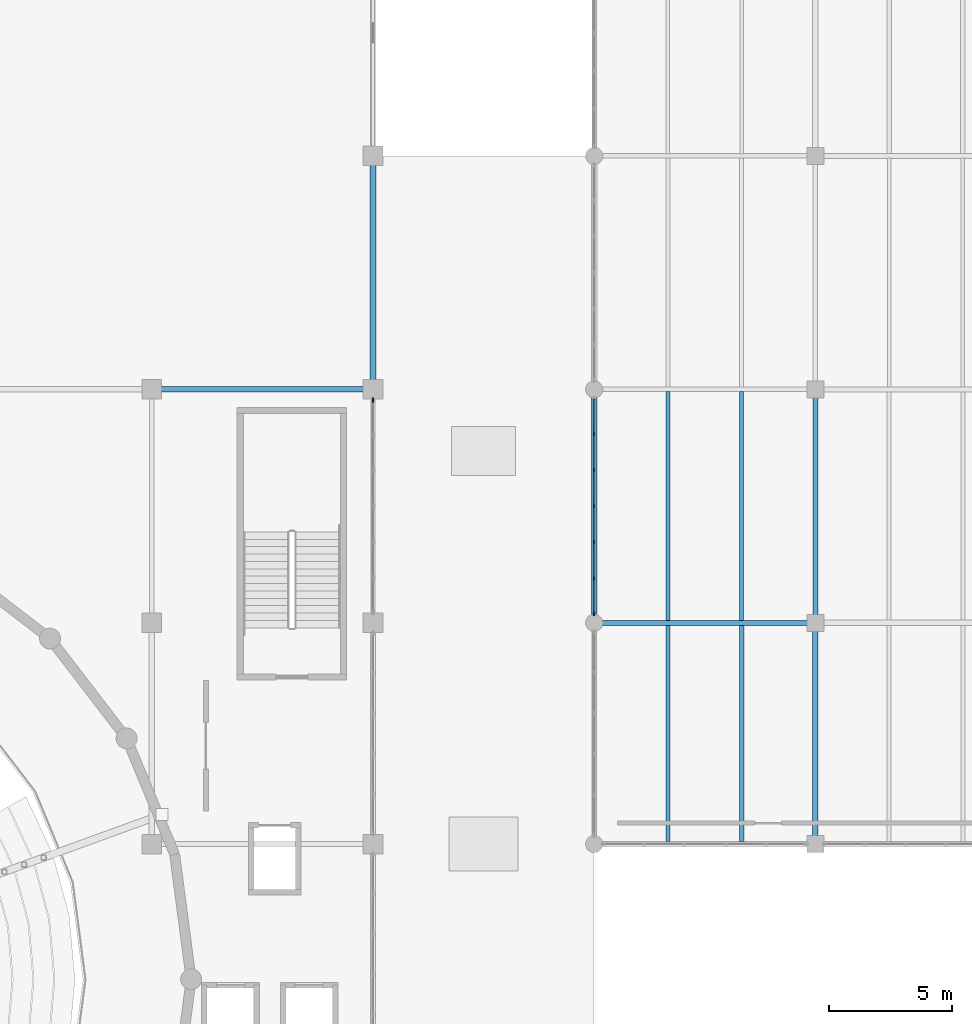
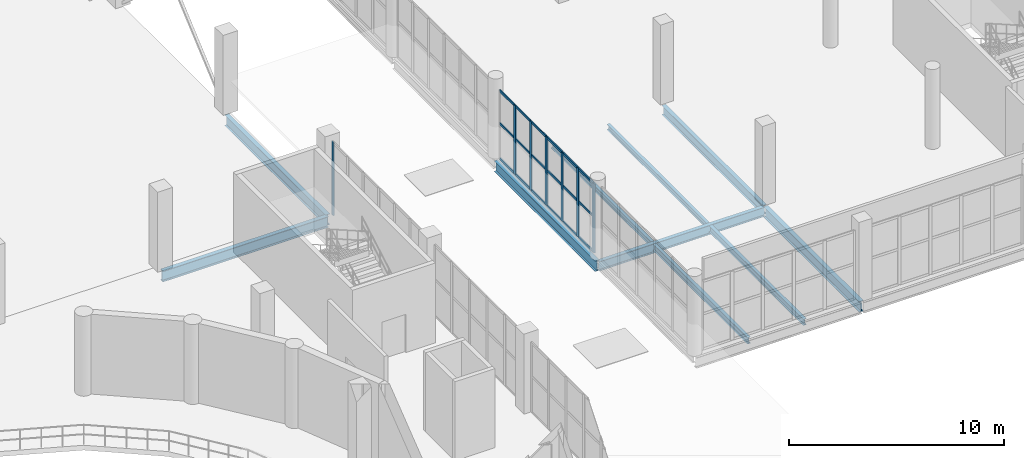
# One storey, part 46 of 93: 25 members, 10 beams, 2 elements without a shape of their own.
"""IFC4 building model written with IfcOpenShell, lengths in metres."""

from ifc_helpers import new_model, si_unit, direction, frame, origin, origin_2d, place, context, subcontext, project, spatial, rectangle, i_section, extrude, material, layer, layer_set, material_profile, profile_set, type_object, element, aggregate, save


model = new_model("IFC4")

# Units and contexts
model_context = context("Model", 3, precision=1e-05, world=origin(), true_north=direction((0.0, 1.0)))
body_context = subcontext(model_context, "Body", "Model", "MODEL_VIEW")
ifc_project = project(units=[si_unit("LENGTHUNIT", "METRE"), si_unit("AREAUNIT", "SQUARE_METRE"), si_unit("VOLUMEUNIT", "CUBIC_METRE"), si_unit("PLANEANGLEUNIT", "RADIAN"), si_unit("MASSUNIT", "GRAM", prefix="KILO")], contexts=[model_context])

# Site, building, storey
site_placement = place(None, origin())
site = spatial("IfcSite", under=ifc_project, at=site_placement, CompositionType="ELEMENT")
building_placement = place(site_placement, origin())
building = spatial("IfcBuilding", under=site, at=building_placement, Name="Marnock Terrace Opera House", CompositionType="ELEMENT")
storey_placement = place(building_placement, frame((0.0, 0.0, 5.39990234375)))
storey = spatial("IfcBuildingStorey", under=building, at=storey_placement, Name="L01", CompositionType="ELEMENT", Elevation=5.39990234375)

# Beams
ifc_material_1 = material(Name="Steel Grade 350 (AS/NZS 3679.1)", Category="steel")
ifc_material_profile_1 = material_profile(ifc_material_1, i_section(OverallWidth=0.208984375, OverallDepth=0.532958984375, WebThickness=0.01025390625, FlangeThickness=0.015625, FilletRadius=0.013916015625, at=origin_2d()))
ifc_profile_set_1 = profile_set([ifc_material_profile_1], Name="Steel Grade 350 (AS/NZS 3679.1)")
beam_type_1 = type_object("IfcBeamType", Name="BM-GIRD-530A", PredefinedType="BEAM", material=ifc_profile_set_1)
beam_1_placement = place(storey_placement, frame((118.050048828125, 75.0, -0.54638671875), z_axis=(1.0, 0.0, 0.0), x_axis=(0.0, 1.0, 0.0)))
element("IfcBeam", 1, at=beam_1_placement, inside=storey, type_object=beam_type_1, Name="L01 girder (118.0..127.0, Y=75.0)", PredefinedType="BEAM", context=body_context, shape_type="SweptSolid", body=[
    extrude(i_section(OverallWidth=0.208984375, OverallDepth=0.532958984375, WebThickness=0.01025390625, FlangeThickness=0.015625, FilletRadius=0.013916015625, at=origin_2d()), origin(), (0.0, 0.0, 1.0), 8.89990234375),
])
ifc_material_profile_2 = material_profile(ifc_material_1, i_section(OverallWidth=0.208984375, OverallDepth=0.528076171875, WebThickness=0.009521484375, FlangeThickness=0.01318359375, FilletRadius=0.013916015625, at=origin_2d()))
ifc_profile_set_2 = profile_set([ifc_material_profile_2], Name="Steel Grade 350 (AS/NZS 3679.1)")
beam_type_2 = type_object("IfcBeamType", Name="BM-GIRD-530B", PredefinedType="BEAM", material=ifc_profile_set_2)
beam_2_placement = place(storey_placement, frame((127.0, 75.050048828125, -0.5439453125), z_axis=(0.0, 1.0, 0.0), x_axis=(-1.0, 0.0, 0.0)))
element("IfcBeam", 2, at=beam_2_placement, inside=storey, type_object=beam_type_2, Name="L01 girder (X=127.0, 75.0..84.5)", PredefinedType="BEAM", context=body_context, shape_type="SweptSolid", body=[
    extrude(i_section(OverallWidth=0.208984375, OverallDepth=0.528076171875, WebThickness=0.009521484375, FlangeThickness=0.01318359375, FilletRadius=0.013916015625, at=origin_2d()), origin(), (0.0, 0.0, 1.0), 9.39990234375),
])
ifc_material_profile_3 = material_profile(ifc_material_1, i_section(OverallWidth=0.22900390625, OverallDepth=0.611572265625, WebThickness=0.011962890625, FlangeThickness=0.01953125, FilletRadius=0.013916015625, at=origin_2d()))
ifc_profile_set_3 = profile_set([ifc_material_profile_3], Name="Steel Grade 350 (AS/NZS 3679.1)")
beam_type_3 = type_object("IfcBeamType", Name="BM-GIRD-610A", PredefinedType="BEAM", material=ifc_profile_set_3)
beam_3_placement = place(storey_placement, frame((100.050048828125, 84.5, -0.585693359375), z_axis=(1.0, 0.0, 0.0), x_axis=(0.0, 1.0, 0.0)))
element("IfcBeam", 3, at=beam_3_placement, inside=storey, type_object=beam_type_3, Name="L01 girder (100.0..109.0, Y=84.5)", PredefinedType="BEAM", context=body_context, shape_type="SweptSolid", body=[
    extrude(i_section(OverallWidth=0.22900390625, OverallDepth=0.611572265625, WebThickness=0.011962890625, FlangeThickness=0.01953125, FilletRadius=0.013916015625, at=origin_2d()), origin(), (0.0, 0.0, 1.0), 8.89990234375),
])
ifc_material_profile_4 = material_profile(ifc_material_1, i_section(OverallWidth=0.22802734375, OverallDepth=0.60205078125, WebThickness=0.010498046875, FlangeThickness=0.014892578125, FilletRadius=0.013916015625, at=origin_2d()))
ifc_profile_set_4 = profile_set([ifc_material_profile_4], Name="Steel Grade 350 (AS/NZS 3679.1)")
beam_type_4 = type_object("IfcBeamType", Name="BM-GIRD-610C", PredefinedType="BEAM", material=ifc_profile_set_4)
for number, where, z_axis, x_axis, name in (
    (4, (109.0, 84.550048828125, -0.580810546875), (0.0, 1.0, 0.0), (-1.0, 0.0, 0.0), "L01 girder (X=109.0, 84.5..94.0)"),
    (5, (118.0, 75.050048828125, -0.580810546875), (0.0, 1.0, 0.0), (-1.0, 0.0, 0.0), "L01 girder (X=118.0, 75.0..84.5)"),
):
    element("IfcBeam", number, at=place(storey_placement, frame(where, z_axis=z_axis, x_axis=x_axis)), inside=storey, type_object=beam_type_4, Name=name, PredefinedType="BEAM", context=body_context, shape_type="SweptSolid", body=[
        extrude(i_section(OverallWidth=0.22802734375, OverallDepth=0.60205078125, WebThickness=0.010498046875, FlangeThickness=0.014892578125, FilletRadius=0.013916015625, at=origin_2d()), origin(), (0.0, 0.0, 1.0), 9.39990234375),
    ])
beam_4_placement = place(storey_placement, frame((127.0, 66.050048828125, -0.580810546875), z_axis=(0.0, 1.0, 0.0), x_axis=(-1.0, 0.0, 0.0)))
element("IfcBeam", 6, at=beam_4_placement, inside=storey, type_object=beam_type_4, Name="L01 girder (X=127.0, 66.0..75.0)", PredefinedType="BEAM", context=body_context, shape_type="SweptSolid", body=[
    extrude(i_section(OverallWidth=0.22802734375, OverallDepth=0.60205078125, WebThickness=0.010498046875, FlangeThickness=0.014892578125, FilletRadius=0.013916015625, at=origin_2d()), origin(), (0.0, 0.0, 1.0), 8.89990234375),
])
ifc_material_profile_5 = material_profile(ifc_material_1, i_section(OverallWidth=0.166015625, OverallDepth=0.30712890625, WebThickness=0.006591796875, FlangeThickness=0.01171875, FilletRadius=0.011474609375, at=origin_2d()))
ifc_profile_set_5 = profile_set([ifc_material_profile_5], Name="Steel Grade 350 (AS/NZS 3679.1)")
beam_type_5 = type_object("IfcBeamType", Name="BM-JOIST-310A", PredefinedType="JOIST", material=ifc_profile_set_5)
for number, where, z_axis, x_axis, name in (
    (7, (121.0, 75.099609375, -0.43359375), (0.0, 1.0, 0.0), (-1.0, 0.0, 0.0), "L01 secondary joist 13.9.1"),
    (8, (124.0, 75.099609375, -0.43359375), (0.0, 1.0, 0.0), (-1.0, 0.0, 0.0), "L01 secondary joist 13.9.2"),
):
    element("IfcBeam", number, at=place(storey_placement, frame(where, z_axis=z_axis, x_axis=x_axis)), inside=storey, type_object=beam_type_5, Name=name, PredefinedType="JOIST", context=body_context, shape_type="SweptSolid", body=[
        extrude(i_section(OverallWidth=0.166015625, OverallDepth=0.30712890625, WebThickness=0.006591796875, FlangeThickness=0.01171875, FilletRadius=0.011474609375, at=origin_2d()), origin(), (0.0, 0.0, 1.0), 9.309814453125),
    ])
ifc_material_profile_6 = material_profile(ifc_material_1, i_section(OverallWidth=0.172119140625, OverallDepth=0.358642578125, WebThickness=0.008056640625, FlangeThickness=0.012939453125, FilletRadius=0.011474609375, at=origin_2d()))
ifc_profile_set_6 = profile_set([ifc_material_profile_6], Name="Steel Grade 350 (AS/NZS 3679.1)")
beam_type_6 = type_object("IfcBeamType", Name="BM-JOIST-360", PredefinedType="JOIST", material=ifc_profile_set_6)
for number, where, z_axis, x_axis, name in (
    (9, (121.0, 66.10888671875, -0.459228515625), (0.0, 1.0, 0.0), (-1.0, 0.0, 0.0), "L01 secondary joist 13.8.1"),
    (10, (124.0, 66.10888671875, -0.459228515625), (0.0, 1.0, 0.0), (-1.0, 0.0, 0.0), "L01 secondary joist 13.8.2"),
):
    element("IfcBeam", number, at=place(storey_placement, frame(where, z_axis=z_axis, x_axis=x_axis)), inside=storey, type_object=beam_type_6, Name=name, PredefinedType="JOIST", context=body_context, shape_type="SweptSolid", body=[
        extrude(i_section(OverallWidth=0.172119140625, OverallDepth=0.358642578125, WebThickness=0.008056640625, FlangeThickness=0.012939453125, FilletRadius=0.011474609375, at=origin_2d()), origin(), (0.0, 0.0, 1.0), 8.79150390625),
    ])

# Curtain wall, member
ifc_material_2 = material(Name="Anodised architectural bronze aluminium framing", Category="aluminium")
ifc_layer_1 = layer(ifc_material_2, 0.159912109375)
ifc_layer_set_1 = layer_set([ifc_layer_1], Name="Anodised architectural bronze aluminium framing")
curtain_wall_type_1 = type_object("IfcCurtainWallType", Name="CW-FOYER-90x45", PredefinedType="NOTDEFINED", material=ifc_layer_set_1)
curtain_wall_1_placement = place(storey_placement, origin())
curtain_wall_1 = element("IfcCurtainWall", 11, at=curtain_wall_1_placement, inside=storey, type_object=curtain_wall_type_1, Name="L01 glazed Beaux-Arts colonnade curtain wall CW-V1E-L01-09", PredefinedType="NOTDEFINED")
ifc_material_profile_7 = material_profile(ifc_material_2, rectangle(XDim=0.06494140625, YDim=0.179931640625, at=origin_2d()))
ifc_profile_set_7 = profile_set([ifc_material_profile_7], Name="Anodised architectural bronze aluminium framing")
member_type_1 = type_object("IfcMemberType", Name="CWM-65x180", PredefinedType="MULLION", material=ifc_profile_set_7)
member_1_placement = place(storey_placement, frame((109.0, 84.073974609375, 0.0), z_axis=(0.0, 0.0, 1.0), x_axis=(-1.0, 0.0, 0.0)))
member_1 = element("IfcMember", 12, at=member_1_placement, type_object=member_type_1, Name="CW-27 mullion 7", PredefinedType="MULLION", context=body_context, shape_type="SweptSolid", body=[
    extrude(rectangle(XDim=0.06494140625, YDim=0.179931640625, at=origin_2d()), origin(), (0.0, 0.0, 1.0), 4.154541015625),
])
aggregate(curtain_wall_1, [member_1])

# Curtain wall, members
ifc_layer_2 = layer(ifc_material_2, 0.159912109375)
ifc_layer_set_2 = layer_set([ifc_layer_2], Name="Anodised architectural bronze aluminium framing")
curtain_wall_type_2 = type_object("IfcCurtainWallType", Name="CW-FOYER-95x45", PredefinedType="NOTDEFINED", material=ifc_layer_set_2)
curtain_wall_2_placement = place(storey_placement, origin())
curtain_wall_2 = element("IfcCurtainWall", 13, at=curtain_wall_2_placement, inside=storey, type_object=curtain_wall_type_2, Name="L01 glazed Beaux-Arts colonnade curtain wall CW-V5-L01-W6", PredefinedType="NOTDEFINED")
member_2_placement = place(storey_placement, frame((118.0, 75.3759765625, 0.0), z_axis=(0.0, 0.0, 1.0), x_axis=(-1.0, 0.0, 0.0)))
member_2 = element("IfcMember", 14, at=member_2_placement, type_object=member_type_1, Name="CW-53 mullion 1", PredefinedType="MULLION", context=body_context, shape_type="SweptSolid", body=[
    extrude(rectangle(XDim=0.06494140625, YDim=0.179931640625, at=origin_2d()), origin(), (0.0, 0.0, 1.0), 3.908203125),
])
member_3_placement = place(storey_placement, frame((118.0, 76.81396484375, 0.0), z_axis=(0.0, 0.0, 1.0), x_axis=(-1.0, 0.0, 0.0)))
member_3 = element("IfcMember", 15, at=member_3_placement, type_object=member_type_1, Name="CW-53 mullion 2", PredefinedType="MULLION", context=body_context, shape_type="SweptSolid", body=[
    extrude(rectangle(XDim=0.06494140625, YDim=0.179931640625, at=origin_2d()), origin(), (0.0, 0.0, 1.0), 3.908203125),
])
member_4_placement = place(storey_placement, frame((118.0, 78.281982421875, 0.0), z_axis=(0.0, 0.0, 1.0), x_axis=(-1.0, 0.0, 0.0)))
member_4 = element("IfcMember", 16, at=member_4_placement, type_object=member_type_1, Name="CW-53 mullion 3", PredefinedType="MULLION", context=body_context, shape_type="SweptSolid", body=[
    extrude(rectangle(XDim=0.06494140625, YDim=0.179931640625, at=origin_2d()), origin(), (0.0, 0.0, 1.0), 3.908203125),
])
member_5_placement = place(storey_placement, frame((118.0, 79.75, 0.0), z_axis=(0.0, 0.0, 1.0), x_axis=(-1.0, 0.0, 0.0)))
member_5 = element("IfcMember", 17, at=member_5_placement, type_object=member_type_1, Name="CW-53 mullion 4", PredefinedType="MULLION", context=body_context, shape_type="SweptSolid", body=[
    extrude(rectangle(XDim=0.06494140625, YDim=0.179931640625, at=origin_2d()), origin(), (0.0, 0.0, 1.0), 3.908203125),
])
member_6_placement = place(storey_placement, frame((118.0, 81.218017578125, 0.0), z_axis=(0.0, 0.0, 1.0), x_axis=(-1.0, 0.0, 0.0)))
member_6 = element("IfcMember", 18, at=member_6_placement, type_object=member_type_1, Name="CW-53 mullion 5", PredefinedType="MULLION", context=body_context, shape_type="SweptSolid", body=[
    extrude(rectangle(XDim=0.06494140625, YDim=0.179931640625, at=origin_2d()), origin(), (0.0, 0.0, 1.0), 3.908203125),
])
member_7_placement = place(storey_placement, frame((118.0, 82.68603515625, 0.0), z_axis=(0.0, 0.0, 1.0), x_axis=(-1.0, 0.0, 0.0)))
member_7 = element("IfcMember", 19, at=member_7_placement, type_object=member_type_1, Name="CW-53 mullion 6", PredefinedType="MULLION", context=body_context, shape_type="SweptSolid", body=[
    extrude(rectangle(XDim=0.06494140625, YDim=0.179931640625, at=origin_2d()), origin(), (0.0, 0.0, 1.0), 3.908203125),
])
ifc_material_profile_8 = material_profile(ifc_material_2, rectangle(XDim=0.06005859375, YDim=0.1298828125, at=origin_2d()))
ifc_profile_set_8 = profile_set([ifc_material_profile_8], Name="Anodised architectural bronze aluminium framing")
member_type_2 = type_object("IfcMemberType", Name="CWT-60x130", PredefinedType="USERDEFINED", material=ifc_profile_set_8)
member_8_placement = place(storey_placement, frame((118.0, 75.406005859375, 0.030029296875), z_axis=(0.0, 1.0, 0.0), x_axis=(-1.0, 0.0, 0.0)))
member_8 = element("IfcMember", 20, at=member_8_placement, type_object=member_type_2, Name="CW-53 transom 1.1", ObjectType="TRANSOM", PredefinedType="USERDEFINED", context=body_context, shape_type="SweptSolid", body=[
    extrude(rectangle(XDim=0.06005859375, YDim=0.1298828125, at=origin_2d()), origin(), (0.0, 0.0, 1.0), 1.3779296875),
])
member_9_placement = place(storey_placement, frame((118.0, 75.406005859375, 2.0322265625), z_axis=(0.0, 1.0, 0.0), x_axis=(-1.0, 0.0, 0.0)))
member_9 = element("IfcMember", 21, at=member_9_placement, type_object=member_type_2, Name="CW-53 transom 1.2", ObjectType="TRANSOM", PredefinedType="USERDEFINED", context=body_context, shape_type="SweptSolid", body=[
    extrude(rectangle(XDim=0.06005859375, YDim=0.1298828125, at=origin_2d()), origin(), (0.0, 0.0, 1.0), 1.3779296875),
])
member_10_placement = place(storey_placement, frame((118.0, 75.406005859375, 3.878173828125), z_axis=(0.0, 1.0, 0.0), x_axis=(-1.0, 0.0, 0.0)))
member_10 = element("IfcMember", 22, at=member_10_placement, type_object=member_type_2, Name="CW-53 transom 1.3", ObjectType="TRANSOM", PredefinedType="USERDEFINED", context=body_context, shape_type="SweptSolid", body=[
    extrude(rectangle(XDim=0.06005859375, YDim=0.1298828125, at=origin_2d()), origin(), (0.0, 0.0, 1.0), 1.3779296875),
])
member_11_placement = place(storey_placement, frame((118.0, 76.843994140625, 0.030029296875), z_axis=(0.0, 1.0, 0.0), x_axis=(-1.0, 0.0, 0.0)))
member_11 = element("IfcMember", 23, at=member_11_placement, type_object=member_type_2, Name="CW-53 transom 2.1", ObjectType="TRANSOM", PredefinedType="USERDEFINED", context=body_context, shape_type="SweptSolid", body=[
    extrude(rectangle(XDim=0.06005859375, YDim=0.1298828125, at=origin_2d()), origin(), (0.0, 0.0, 1.0), 1.407958984375),
])
member_12_placement = place(storey_placement, frame((118.0, 76.843994140625, 2.0322265625), z_axis=(0.0, 1.0, 0.0), x_axis=(-1.0, 0.0, 0.0)))
member_12 = element("IfcMember", 24, at=member_12_placement, type_object=member_type_2, Name="CW-53 transom 2.2", ObjectType="TRANSOM", PredefinedType="USERDEFINED", context=body_context, shape_type="SweptSolid", body=[
    extrude(rectangle(XDim=0.06005859375, YDim=0.1298828125, at=origin_2d()), origin(), (0.0, 0.0, 1.0), 1.407958984375),
])
member_13_placement = place(storey_placement, frame((118.0, 76.843994140625, 3.878173828125), z_axis=(0.0, 1.0, 0.0), x_axis=(-1.0, 0.0, 0.0)))
member_13 = element("IfcMember", 25, at=member_13_placement, type_object=member_type_2, Name="CW-53 transom 2.3", ObjectType="TRANSOM", PredefinedType="USERDEFINED", context=body_context, shape_type="SweptSolid", body=[
    extrude(rectangle(XDim=0.06005859375, YDim=0.1298828125, at=origin_2d()), origin(), (0.0, 0.0, 1.0), 1.407958984375),
])
member_14_placement = place(storey_placement, frame((118.0, 78.31201171875, 0.030029296875), z_axis=(0.0, 1.0, 0.0), x_axis=(-1.0, 0.0, 0.0)))
member_14 = element("IfcMember", 26, at=member_14_placement, type_object=member_type_2, Name="CW-53 transom 3.1", ObjectType="TRANSOM", PredefinedType="USERDEFINED", context=body_context, shape_type="SweptSolid", body=[
    extrude(rectangle(XDim=0.06005859375, YDim=0.1298828125, at=origin_2d()), origin(), (0.0, 0.0, 1.0), 1.407958984375),
])
member_15_placement = place(storey_placement, frame((118.0, 78.31201171875, 2.0322265625), z_axis=(0.0, 1.0, 0.0), x_axis=(-1.0, 0.0, 0.0)))
member_15 = element("IfcMember", 27, at=member_15_placement, type_object=member_type_2, Name="CW-53 transom 3.2", ObjectType="TRANSOM", PredefinedType="USERDEFINED", context=body_context, shape_type="SweptSolid", body=[
    extrude(rectangle(XDim=0.06005859375, YDim=0.1298828125, at=origin_2d()), origin(), (0.0, 0.0, 1.0), 1.407958984375),
])
member_16_placement = place(storey_placement, frame((118.0, 78.31201171875, 3.878173828125), z_axis=(0.0, 1.0, 0.0), x_axis=(-1.0, 0.0, 0.0)))
member_16 = element("IfcMember", 28, at=member_16_placement, type_object=member_type_2, Name="CW-53 transom 3.3", ObjectType="TRANSOM", PredefinedType="USERDEFINED", context=body_context, shape_type="SweptSolid", body=[
    extrude(rectangle(XDim=0.06005859375, YDim=0.1298828125, at=origin_2d()), origin(), (0.0, 0.0, 1.0), 1.407958984375),
])
member_17_placement = place(storey_placement, frame((118.0, 79.780029296875, 0.030029296875), z_axis=(0.0, 1.0, 0.0), x_axis=(-1.0, 0.0, 0.0)))
member_17 = element("IfcMember", 29, at=member_17_placement, type_object=member_type_2, Name="CW-53 transom 4.1", ObjectType="TRANSOM", PredefinedType="USERDEFINED", context=body_context, shape_type="SweptSolid", body=[
    extrude(rectangle(XDim=0.06005859375, YDim=0.1298828125, at=origin_2d()), origin(), (0.0, 0.0, 1.0), 1.407958984375),
])
member_18_placement = place(storey_placement, frame((118.0, 79.780029296875, 2.0322265625), z_axis=(0.0, 1.0, 0.0), x_axis=(-1.0, 0.0, 0.0)))
member_18 = element("IfcMember", 30, at=member_18_placement, type_object=member_type_2, Name="CW-53 transom 4.2", ObjectType="TRANSOM", PredefinedType="USERDEFINED", context=body_context, shape_type="SweptSolid", body=[
    extrude(rectangle(XDim=0.06005859375, YDim=0.1298828125, at=origin_2d()), origin(), (0.0, 0.0, 1.0), 1.407958984375),
])
member_19_placement = place(storey_placement, frame((118.0, 79.780029296875, 3.878173828125), z_axis=(0.0, 1.0, 0.0), x_axis=(-1.0, 0.0, 0.0)))
member_19 = element("IfcMember", 31, at=member_19_placement, type_object=member_type_2, Name="CW-53 transom 4.3", ObjectType="TRANSOM", PredefinedType="USERDEFINED", context=body_context, shape_type="SweptSolid", body=[
    extrude(rectangle(XDim=0.06005859375, YDim=0.1298828125, at=origin_2d()), origin(), (0.0, 0.0, 1.0), 1.407958984375),
])
member_20_placement = place(storey_placement, frame((118.0, 81.248046875, 0.030029296875), z_axis=(0.0, 1.0, 0.0), x_axis=(-1.0, 0.0, 0.0)))
member_20 = element("IfcMember", 32, at=member_20_placement, type_object=member_type_2, Name="CW-53 transom 5.1", ObjectType="TRANSOM", PredefinedType="USERDEFINED", context=body_context, shape_type="SweptSolid", body=[
    extrude(rectangle(XDim=0.06005859375, YDim=0.1298828125, at=origin_2d()), origin(), (0.0, 0.0, 1.0), 1.407958984375),
])
member_21_placement = place(storey_placement, frame((118.0, 81.248046875, 2.0322265625), z_axis=(0.0, 1.0, 0.0), x_axis=(-1.0, 0.0, 0.0)))
member_21 = element("IfcMember", 33, at=member_21_placement, type_object=member_type_2, Name="CW-53 transom 5.2", ObjectType="TRANSOM", PredefinedType="USERDEFINED", context=body_context, shape_type="SweptSolid", body=[
    extrude(rectangle(XDim=0.06005859375, YDim=0.1298828125, at=origin_2d()), origin(), (0.0, 0.0, 1.0), 1.407958984375),
])
member_22_placement = place(storey_placement, frame((118.0, 81.248046875, 3.878173828125), z_axis=(0.0, 1.0, 0.0), x_axis=(-1.0, 0.0, 0.0)))
member_22 = element("IfcMember", 34, at=member_22_placement, type_object=member_type_2, Name="CW-53 transom 5.3", ObjectType="TRANSOM", PredefinedType="USERDEFINED", context=body_context, shape_type="SweptSolid", body=[
    extrude(rectangle(XDim=0.06005859375, YDim=0.1298828125, at=origin_2d()), origin(), (0.0, 0.0, 1.0), 1.407958984375),
])
member_23_placement = place(storey_placement, frame((118.0, 82.716064453125, 0.030029296875), z_axis=(0.0, 1.0, 0.0), x_axis=(-1.0, 0.0, 0.0)))
member_23 = element("IfcMember", 35, at=member_23_placement, type_object=member_type_2, Name="CW-53 transom 6.1", ObjectType="TRANSOM", PredefinedType="USERDEFINED", context=body_context, shape_type="SweptSolid", body=[
    extrude(rectangle(XDim=0.06005859375, YDim=0.1298828125, at=origin_2d()), origin(), (0.0, 0.0, 1.0), 1.3779296875),
])
member_24_placement = place(storey_placement, frame((118.0, 82.716064453125, 2.0322265625), z_axis=(0.0, 1.0, 0.0), x_axis=(-1.0, 0.0, 0.0)))
member_24 = element("IfcMember", 36, at=member_24_placement, type_object=member_type_2, Name="CW-53 transom 6.2", ObjectType="TRANSOM", PredefinedType="USERDEFINED", context=body_context, shape_type="SweptSolid", body=[
    extrude(rectangle(XDim=0.06005859375, YDim=0.1298828125, at=origin_2d()), origin(), (0.0, 0.0, 1.0), 1.3779296875),
])
member_25_placement = place(storey_placement, frame((118.0, 82.716064453125, 3.878173828125), z_axis=(0.0, 1.0, 0.0), x_axis=(-1.0, 0.0, 0.0)))
member_25 = element("IfcMember", 37, at=member_25_placement, type_object=member_type_2, Name="CW-53 transom 6.3", ObjectType="TRANSOM", PredefinedType="USERDEFINED", context=body_context, shape_type="SweptSolid", body=[
    extrude(rectangle(XDim=0.06005859375, YDim=0.1298828125, at=origin_2d()), origin(), (0.0, 0.0, 1.0), 1.3779296875),
])
aggregate(curtain_wall_2, [member_2, member_3, member_4, member_5, member_6, member_7, member_8, member_9, member_10, member_11, member_12, member_13, member_14, member_15, member_16, member_17, member_18, member_19, member_20, member_21, member_22, member_23, member_24, member_25])

save(model, "model.ifc")
